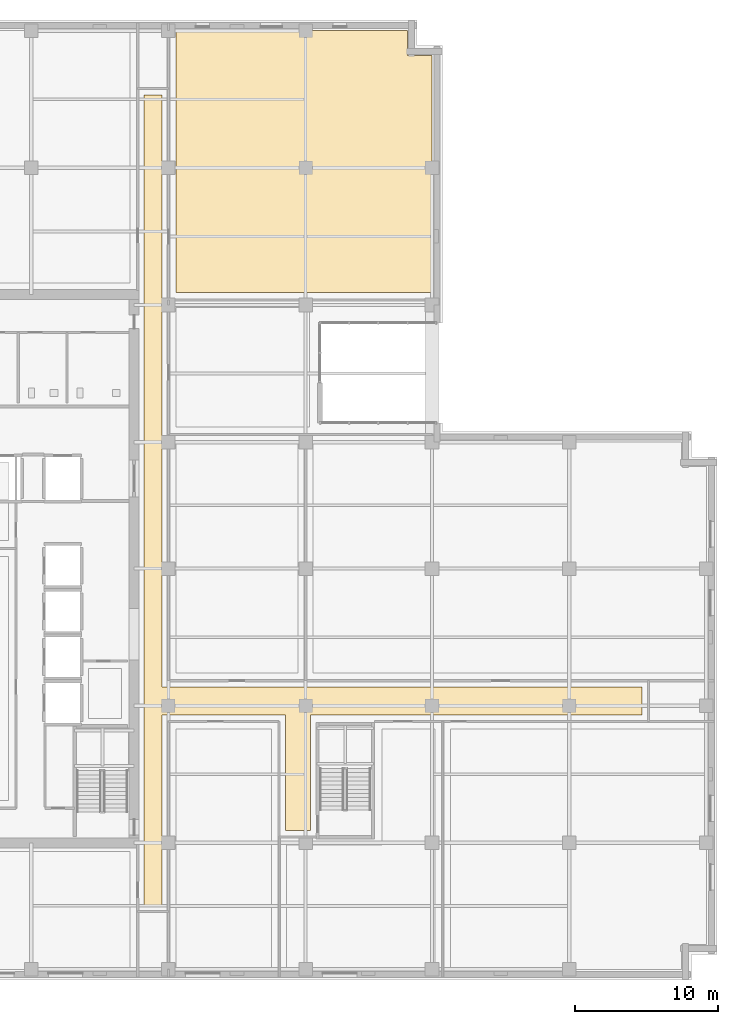
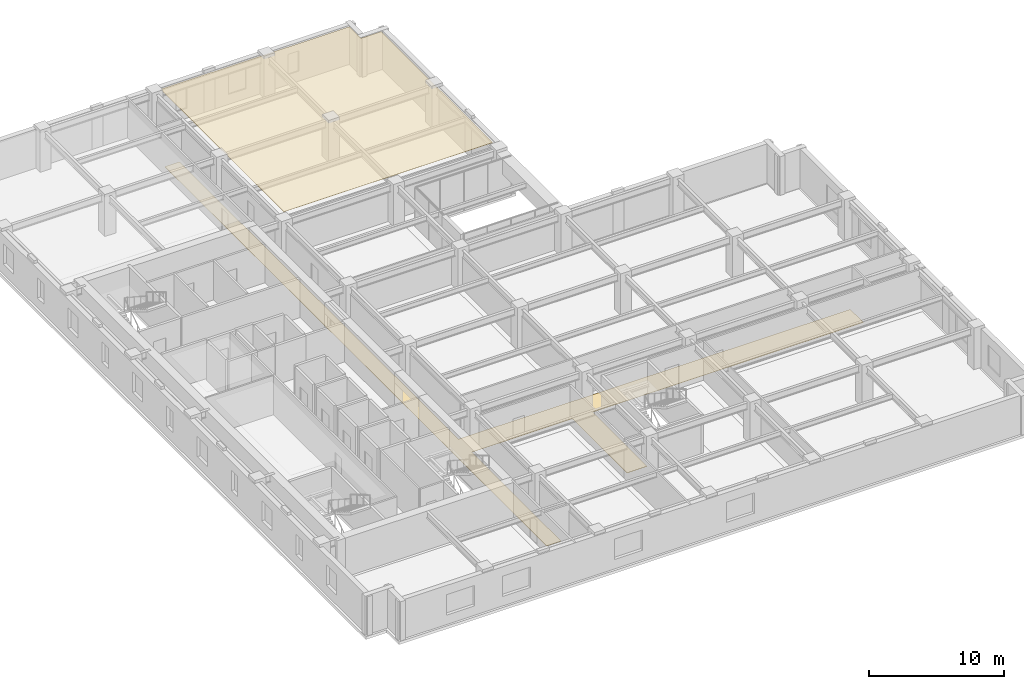
# One storey, part 12 of 13: 2 coverings.
"""IFC4 building model written with IfcOpenShell, lengths in metres."""

import ifcopenshell
import ifcopenshell.guid

model = None  # the IFC model being written
_history = None  # IfcOwnerHistory: only IFC2X3 demands one
_inside = {}  # id of a spatial element -> (the spatial element, [elements in it])
_under = {}  # id of a project, library or spatial element -> (it, [spatial elements below it])
_declared = {}  # id of a project -> (the project, [libraries it declares])
_typed = {}  # id of a type object -> (the type object, [elements of that type])
_made_of = {}  # id of a material, layer set ... -> (it, [elements and type objects made of it])


def new_model(schema):
    """Start an empty IFC model of exactly this schema.

    Asked for "IFC4X3", IfcOpenShell would pick the latest addendum, in which some entities
    have other attributes; the version numbers below select the first issue.
    IFC2X3 requires an IfcOwnerHistory on every rooted entity: one is made here for all.
    """
    global model, _history
    if schema == "IFC4X3":
        model = ifcopenshell.file(schema_version=(4, 3, 0, 0))
    else:
        model = ifcopenshell.file(schema=schema)
    _inside.clear()
    _under.clear()
    _declared.clear()
    _typed.clear()
    _made_of.clear()
    _history = None
    if model.schema == "IFC2X3":
        org = make("IfcOrganization", Name="unknown")
        user = make(
            "IfcPersonAndOrganization",
            ThePerson=make("IfcPerson", FamilyName="unknown"),
            TheOrganization=org,
        )
        app = make(
            "IfcApplication",
            ApplicationDeveloper=org,
            Version="unknown",
            ApplicationFullName="unknown",
            ApplicationIdentifier="unknown",
        )
        _history = make(
            "IfcOwnerHistory",
            OwningUser=user,
            OwningApplication=app,
            ChangeAction="ADDED",
            CreationDate=0,
        )
    return model


def make(cls, **values):
    """One entity of the class cls with the attributes given. An attribute that is None is left unset."""
    return model.create_entity(
        cls, **{name: value for name, value in values.items() if value is not None}
    )


def rooted(cls, **values):
    """An entity with a GlobalId (a new one), such as an element, a storey or a relation."""
    return make(cls, GlobalId=ifcopenshell.guid.new(), OwnerHistory=_history, **values)


def si_unit(unit_type, name, prefix=None):
    """IfcSIUnit, for example si_unit("LENGTHUNIT", "METRE", prefix="MILLI")."""
    return make("IfcSIUnit", UnitType=unit_type, Prefix=prefix, Name=name)


def assignment(units):
    """IfcUnitAssignment: the units of a project."""
    return None if units is None else make("IfcUnitAssignment", Units=units)


def point(xyz):
    """IfcCartesianPoint."""
    return None if xyz is None else make("IfcCartesianPoint", Coordinates=xyz)


def direction(xyz):
    """IfcDirection."""
    return None if xyz is None else make("IfcDirection", DirectionRatios=xyz)


def frame(location, z_axis=None, x_axis=None):
    """IfcAxis2Placement3D, a coordinate frame: its origin and axes. An axis left out is left unset."""
    return make(
        "IfcAxis2Placement3D",
        Location=point(location),
        Axis=direction(z_axis),
        RefDirection=direction(x_axis),
    )


def origin():
    """The frame at (0, 0, 0) with its axes left unset."""
    return frame((0.0, 0.0, 0.0))


def place(relative_to, where):
    """IfcLocalPlacement: puts the frame where relative to a parent placement (None: the world)."""
    return make(
        "IfcLocalPlacement", PlacementRelTo=relative_to, RelativePlacement=where
    )


def context(
    kind, dimensions, precision=None, world=None, true_north=None, identifier=None
):
    """IfcGeometricRepresentationContext, for example the 3D "Model" context."""
    return make(
        "IfcGeometricRepresentationContext",
        ContextIdentifier=identifier,
        ContextType=kind,
        CoordinateSpaceDimension=dimensions,
        Precision=precision,
        WorldCoordinateSystem=world,
        TrueNorth=true_north,
    )


def subcontext(parent, identifier, kind, view, scale=None):
    """IfcGeometricRepresentationSubContext, for example "Body" below "Model"."""
    return make(
        "IfcGeometricRepresentationSubContext",
        ContextIdentifier=identifier,
        ContextType=kind,
        ParentContext=parent,
        TargetScale=scale,
        TargetView=view,
    )


def project(units=None, contexts=None):
    """IfcProject with its units and contexts."""
    return rooted(
        "IfcProject",
        Name="project",
        RepresentationContexts=contexts,
        UnitsInContext=assignment(units),
    )


def spatial(cls, under=None, at=None, **own):
    """A site, building, storey or space (cls), placed at a placement, below another one or the project."""
    s = rooted(cls, ObjectPlacement=at, **own)
    if under is not None:
        _under.setdefault(under.id(), (under, []))[1].append(s)
    return s


def polyline(points):
    """IfcPolyline through the points."""
    return make("IfcPolyline", Points=[point(p) for p in points])


def outline(outer, holes=None, kind="AREA"):
    """IfcArbitraryClosedProfileDef: a profile drawn as a closed curve; with holes, ...WithVoids."""
    if holes is None:
        return make("IfcArbitraryClosedProfileDef", ProfileType=kind, OuterCurve=outer)
    return make(
        "IfcArbitraryProfileDefWithVoids",
        ProfileType=kind,
        OuterCurve=outer,
        InnerCurves=holes,
    )


def extrude(swept, where, along, depth):
    """IfcExtrudedAreaSolid: the profile swept, set in the frame where, extruded along a direction by depth."""
    return make(
        "IfcExtrudedAreaSolid",
        SweptArea=swept,
        Position=where,
        ExtrudedDirection=direction(along),
        Depth=depth,
    )


def shape(context_of_items, identifier, shape_type, items):
    """IfcShapeRepresentation: the items that make up one representation, for example the "Body"."""
    return make(
        "IfcShapeRepresentation",
        ContextOfItems=context_of_items,
        RepresentationIdentifier=identifier,
        RepresentationType=shape_type,
        Items=items,
    )


def material(Name=None, Category=None):
    """IfcMaterial."""
    return make("IfcMaterial", Name=Name, Category=Category)


def layer(
    of_material, thickness, ventilated=None, Name=None, Category=None, Priority=None
):
    """IfcMaterialLayer: one layer of a wall or slab, of a material (None: an air gap)."""
    return make(
        "IfcMaterialLayer",
        Material=of_material,
        LayerThickness=thickness,
        IsVentilated=ventilated,
        Name=Name,
        Category=Category,
        Priority=Priority,
    )


def layer_set(layers, Name=None):
    """IfcMaterialLayerSet."""
    return make("IfcMaterialLayerSet", MaterialLayers=layers, LayerSetName=Name)


def made_of(thing, what):
    """Note that an element or type object is made of a material, layer set ...; save() writes the relation."""
    if what is not None:
        _made_of.setdefault(what.id(), (what, []))[1].append(thing)
    return thing


def type_object(cls, material=None, **own):
    """A type object (cls), such as IfcWallType, which elements share."""
    return made_of(rooted(cls, **own), material)


def element(
    cls,
    number,
    at=None,
    inside=None,
    cuts=None,
    type_object=None,
    material=None,
    context=None,
    identifier="Body",
    shape_type=None,
    held_by="IfcProductDefinitionShape",
    body=None,
    shapes=None,
    **own,
):
    """One element of the class cls, such as IfcWall. Its Tag is "e" and its number.

    at: its placement. inside: the storey or other place that contains it. cuts: it is an
    opening in that element (IfcRelVoidsElement). A single representation is given by context,
    identifier, shape_type and body (its items); several are given by shapes. held_by: the class
    of the entity that holds the representations. save() writes the other relations.
    """
    e = rooted(cls, Tag="e%d" % number, ObjectPlacement=at, **own)
    if body is not None:
        shapes = [shape(context, identifier, shape_type, body)]
    if shapes is not None:
        e.Representation = make(held_by, Representations=shapes)
    if inside is not None:
        _inside.setdefault(inside.id(), (inside, []))[1].append(e)
    if cuts is not None:
        rooted(
            "IfcRelVoidsElement", RelatingBuildingElement=cuts, RelatedOpeningElement=e
        )
    if type_object is not None:
        _typed.setdefault(type_object.id(), (type_object, []))[1].append(e)
    return made_of(e, material)


def aggregate(whole, parts):
    """IfcRelAggregates: a whole, such as a stair, and the parts it consists of."""
    return rooted("IfcRelAggregates", RelatingObject=whole, RelatedObjects=parts)


def save(model, path):
    """Write the relations noted so far, then the file.

    IfcRelAggregates (storeys below a building ...), IfcRelContainedInSpatialStructure (elements
    in a storey), IfcRelDefinesByType, IfcRelAssociatesMaterial and IfcRelDeclares: one each for
    every whole, place, type object, material and project.
    """
    for whole, parts in _under.values():
        aggregate(whole, parts)
    for where, things in _inside.values():
        rooted(
            "IfcRelContainedInSpatialStructure",
            RelatedElements=things,
            RelatingStructure=where,
        )
    for kind, things in _typed.values():
        rooted("IfcRelDefinesByType", RelatedObjects=things, RelatingType=kind)
    for what, things in _made_of.values():
        rooted("IfcRelAssociatesMaterial", RelatedObjects=things, RelatingMaterial=what)
    for by, libraries in _declared.values():
        rooted("IfcRelDeclares", RelatingContext=by, RelatedDefinitions=libraries)
    model.write(path)


model = new_model("IFC4")

# Units and contexts
model_context = context("Model", 3, precision=1e-05, world=origin(), true_north=direction((0.0, 1.0)))
body_context = subcontext(model_context, "Body", "Model", "MODEL_VIEW")
ifc_project = project(units=[si_unit("LENGTHUNIT", "METRE"), si_unit("AREAUNIT", "SQUARE_METRE"), si_unit("VOLUMEUNIT", "CUBIC_METRE"), si_unit("PLANEANGLEUNIT", "RADIAN"), si_unit("MASSUNIT", "GRAM", prefix="KILO")], contexts=[model_context])

# Site, building, storey
site_placement = place(None, origin())
site = spatial("IfcSite", under=ifc_project, at=site_placement, CompositionType="ELEMENT")
building_placement = place(site_placement, origin())
building = spatial("IfcBuilding", under=site, at=building_placement, Name="Norrvale University Quadrangle", CompositionType="ELEMENT")
storey_placement = place(building_placement, frame((0.0, 0.0, 171.199951171875)))
storey = spatial("IfcBuildingStorey", under=building, at=storey_placement, Name="L43", CompositionType="ELEMENT", Elevation=171.199951171875)

# Coverings
ifc_material_1 = material(Name="Perforated Acoustic Mineral Ceiling")
ifc_layer_1 = layer(ifc_material_1, 0.02490234375, Name="Perforated Acoustic Mineral Ceiling")
ifc_layer_set_1 = layer_set([ifc_layer_1], Name="Perforated Acoustic Mineral Ceiling")
covering_type_1 = type_object("IfcCoveringType", Name="Covering Acoustic Ceiling 25", PredefinedType="CEILING", material=ifc_layer_set_1)
covering_1_placement = place(storey_placement, frame((0.0, 0.0, 3.51513671875)))
element("IfcCovering", 1, at=covering_1_placement, inside=storey, type_object=covering_type_1, Name="Acoustic Ceiling RM-L43-NE01", PredefinedType="CEILING", context=body_context, shape_type="SweptSolid", body=[
    extrude(outline(polyline([(37.64990234375, 48.1298828125), (19.72998046875, 48.1298828125), (19.72998046875, 66.449951171875), (35.929931640625, 66.449951171875), (35.929931640625, 64.72998046875), (37.64990234375, 64.72998046875), (37.64990234375, 48.1298828125)])), origin(), (0.0, 0.0, 1.0), 0.02490234375),
])
ifc_material_2 = material(Name="Polished Terrazzo Flooring")
ifc_layer_2 = layer(ifc_material_2, 0.02490234375, Name="Polished Terrazzo Flooring")
ifc_layer_set_2 = layer_set([ifc_layer_2], Name="Polished Terrazzo Flooring")
covering_type_2 = type_object("IfcCoveringType", Name="Covering Terrazzo Floor 30", PredefinedType="FLOORING", material=ifc_layer_set_2)
covering_2_placement = place(storey_placement, origin())
element("IfcCovering", 2, at=covering_2_placement, inside=storey, type_object=covering_type_2, Name="Terrazzo Flooring RM-L43-CORR1", PredefinedType="FLOORING", context=body_context, shape_type="SweptSolid", body=[
    extrude(outline(polyline([(17.5, 5.25), (17.5, 61.949951171875), (18.75, 61.949951171875), (18.75, 20.5), (52.35009765625, 20.5), (52.35009765625, 18.550048828125), (29.1298828125, 18.550048828125), (29.1298828125, 10.449951171875), (27.39990234375, 10.449951171875), (27.39990234375, 18.550048828125), (18.75, 18.550048828125), (18.75, 5.25), (17.5, 5.25)])), origin(), (0.0, 0.0, 1.0), 0.025146484375),
])

save(model, "model.ifc")
